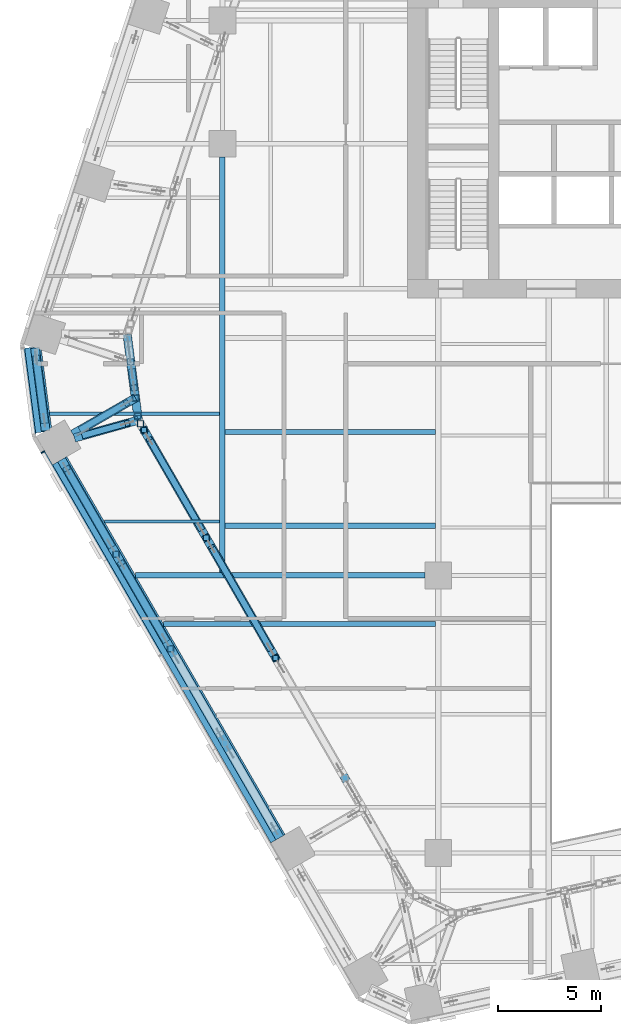
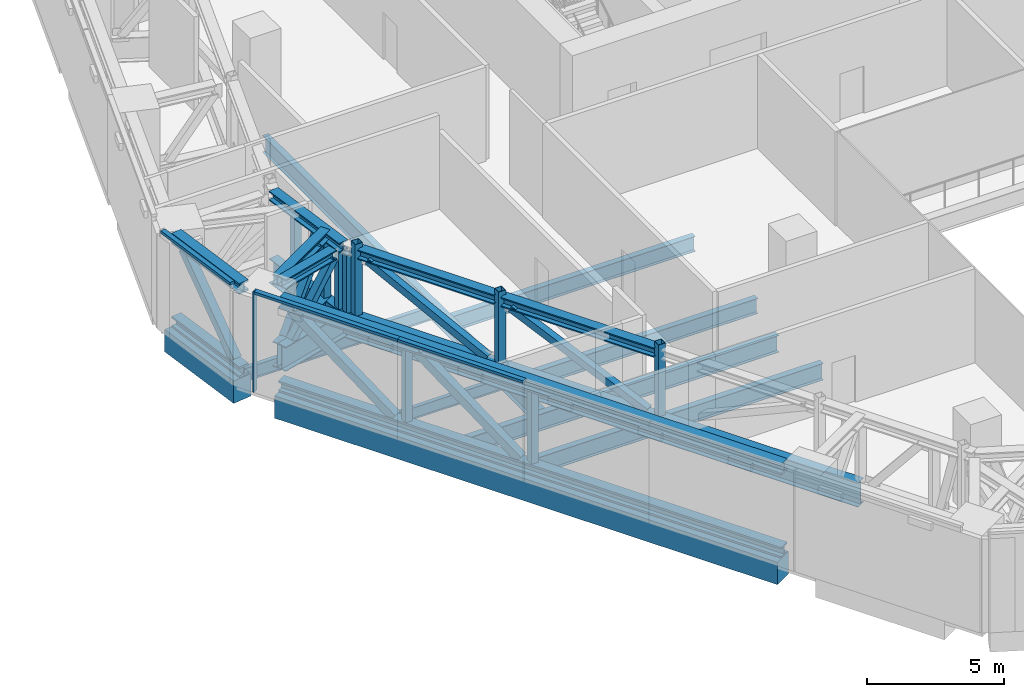
# One storey, part 4 of 36: 34 members, 9 beams, 2 elements without a shape of their own.
"""IFC4 building model written with IfcOpenShell, lengths in metres."""

from ifc_helpers import new_model, si_unit, direction, frame, origin, origin_2d, place, context, subcontext, project, spatial, rectangle, hollow_rectangle, i_section, extrude, material, layer, layer_set, material_profile, profile_set, type_object, element, aggregate, save


model = new_model("IFC4")

# Units and contexts
model_context = context("Model", 3, precision=1e-05, world=origin(), true_north=direction((0.0, 1.0)))
body_context = subcontext(model_context, "Body", "Model", "MODEL_VIEW")
ifc_project = project(units=[si_unit("LENGTHUNIT", "METRE"), si_unit("AREAUNIT", "SQUARE_METRE"), si_unit("VOLUMEUNIT", "CUBIC_METRE"), si_unit("PLANEANGLEUNIT", "RADIAN"), si_unit("MASSUNIT", "GRAM", prefix="KILO")], contexts=[model_context])

# Site, building, storey
site_placement = place(None, origin())
site = spatial("IfcSite", under=ifc_project, at=site_placement, CompositionType="ELEMENT")
building_placement = place(site_placement, origin())
building = spatial("IfcBuilding", under=site, at=building_placement, Name="Isthmus Gate Tower", CompositionType="ELEMENT")
storey_placement = place(building_placement, frame((0.0, 0.0, 117.14990234375)))
storey = spatial("IfcBuildingStorey", under=building, at=storey_placement, Name="L28", CompositionType="ELEMENT", Elevation=117.14990234375)

# Members
ifc_material_1 = material(Name="Structural steel ASTM A913 Gr 65", Category="steel")
ifc_material_profile_1 = material_profile(ifc_material_1, i_section(OverallWidth=0.4287109375, OverallDepth=0.482666015625, WebThickness=0.05078125, FlangeThickness=0.0810546875, at=origin_2d()), Name="W14X455")
ifc_profile_set_1 = profile_set([ifc_material_profile_1], Name="Structural steel ASTM A913 Gr 65")
member_type_1 = type_object("IfcMemberType", Name="BELT TRUSS CHORD W14X455", PredefinedType="CHORD", material=ifc_profile_set_1)
for number, where, z_axis, x_axis, name in (
    (1, (-21.21337890625, -26.257080078125, 0.241455078125), (-0.500010741476, 0.866019202102, 0.0), (-0.866019202102, -0.500010741476, 0.0), "str-belt16-L28-04"),
    (2, (-21.21337890625, -26.257080078125, 3.958740234375), (-0.500010741476, 0.866019202102, 0.0), (-0.866019202102, -0.500010741476, 0.0), "str-belt16-L28-05"),
):
    element("IfcMember", number, at=place(storey_placement, frame(where, z_axis=z_axis, x_axis=x_axis)), inside=storey, type_object=member_type_1, Name=name, PredefinedType="CHORD", context=body_context, shape_type="SweptSolid", body=[
        extrude(i_section(OverallWidth=0.4287109375, OverallDepth=0.482666015625, WebThickness=0.05078125, FlangeThickness=0.0810546875, at=origin_2d()), origin(), (0.0, 0.0, 1.0), 21.234375),
    ])
for number, where, z_axis, x_axis, name in (
    (3, (-32.5947265625, -6.461181640625, 0.241455078125), (-0.129179927125, 0.991621170825, 0.0), (-0.991621170825, -0.129179927125, 0.0), "str-belt17-L28-01"),
    (4, (-32.5947265625, -6.461181640625, 3.958740234375), (-0.129179927125, 0.991621170825, 0.0), (-0.991621170825, -0.129179927125, 0.0), "str-belt17-L28-02"),
):
    element("IfcMember", number, at=place(storey_placement, frame(where, z_axis=z_axis, x_axis=x_axis)), inside=storey, type_object=member_type_1, Name=name, PredefinedType="CHORD", context=body_context, shape_type="SweptSolid", body=[
        extrude(i_section(OverallWidth=0.4287109375, OverallDepth=0.482666015625, WebThickness=0.05078125, FlangeThickness=0.0810546875, at=origin_2d()), origin(), (0.0, 0.0, 1.0), 4.063232421875),
    ])

# Curtain wall, member
ifc_material_2 = material(Name="Aluminium, pale champagne anodised", Category="aluminium")
ifc_layer = layer(ifc_material_2, 0.199951171875)
ifc_layer_set = layer_set([ifc_layer], Name="CW-2 LOUVRE CURTAIN WALL 200 DEEP")
curtain_wall_type = type_object("IfcCurtainWallType", Name="CW-2 LOUVRE CURTAIN WALL 200 DEEP", PredefinedType="NOTDEFINED", material=ifc_layer_set)
curtain_wall_1_placement = place(storey_placement, origin())
curtain_wall_1 = element("IfcCurtainWall", 5, at=curtain_wall_1_placement, inside=storey, type_object=curtain_wall_type, Name="CW-2 SW L28", PredefinedType="NOTDEFINED")
ifc_material_3 = material(Name="Aluminium, pale champagne anodised", Category="aluminium")
ifc_material_profile_2 = material_profile(ifc_material_3, rectangle(XDim=0.06005859375, YDim=0.199951171875, at=origin_2d()), Name="60x200")
ifc_profile_set_2 = profile_set([ifc_material_profile_2], Name="Aluminium, pale champagne anodised")
member_type_2 = type_object("IfcMemberType", Name="CW-2 MULLION 60 X 200", PredefinedType="MULLION", material=ifc_profile_set_2)
member_1_placement = place(storey_placement, frame((-32.7353515625, -7.500732421875, 0.0), z_axis=(0.0, 0.0, 1.0), x_axis=(0.5, -0.866025403784, 0.0)))
member_1 = element("IfcMember", 6, at=member_1_placement, type_object=member_type_2, Name="CW-2 mullion", PredefinedType="MULLION", context=body_context, shape_type="SweptSolid", body=[
    extrude(rectangle(XDim=0.06005859375, YDim=0.199951171875, at=origin_2d()), origin(), (0.0, 0.0, 1.0), 4.5),
])

curtain_wall_2_placement = place(storey_placement, origin())
curtain_wall_2 = element("IfcCurtainWall", 7, at=curtain_wall_2_placement, inside=storey, type_object=curtain_wall_type, Name="CW-2 NW-SW L28", PredefinedType="NOTDEFINED")
ifc_material_4 = material(Name="Aluminium, pale champagne anodised", Category="aluminium")
ifc_material_profile_3 = material_profile(ifc_material_4, rectangle(XDim=0.199951171875, YDim=0.1201171875, at=origin_2d()), Name="200x120")
ifc_profile_set_3 = profile_set([ifc_material_profile_3], Name="Aluminium, pale champagne anodised")
member_type_3 = type_object("IfcMemberType", Name="CW-2 TRANSOM 200 X 120", PredefinedType="USERDEFINED", material=ifc_profile_set_3)
member_2_placement = place(storey_placement, frame((-33.71923828125, -2.474609375, 4.440185546875), z_axis=(0.129206893318, -0.991617657527, 0.0), x_axis=(0.991617657527, 0.129206893318, 0.0)))
member_2 = element("IfcMember", 8, at=member_2_placement, type_object=member_type_3, Name="CW-2 transom", ObjectType="TRANSOM", PredefinedType="USERDEFINED", context=body_context, shape_type="SweptSolid", body=[
    extrude(rectangle(XDim=0.199951171875, YDim=0.1201171875, at=origin_2d()), origin(), (0.0, 0.0, 1.0), 4.181640625),
])
aggregate(curtain_wall_2, [member_2])

# Member
member_3_placement = place(storey_placement, frame((-32.720458984375, -7.526611328125, 4.440185546875), z_axis=(0.500011280007, -0.866018891171, 0.0), x_axis=(0.866018891171, 0.500011280007, 0.0)))
member_3 = element("IfcMember", 9, at=member_3_placement, type_object=member_type_3, Name="CW-2 transom", ObjectType="TRANSOM", PredefinedType="USERDEFINED", context=body_context, shape_type="SweptSolid", body=[
    extrude(rectangle(XDim=0.199951171875, YDim=0.1201171875, at=origin_2d()), origin(), (0.0, 0.0, 1.0), 6.048583984375),
])

member_4_placement = place(storey_placement, frame((-29.696044921875, -12.764892578125, 4.440185546875), z_axis=(0.499997139945, -0.866027055032, 0.0), x_axis=(0.866027055032, 0.499997139945, 0.0)))
member_4 = element("IfcMember", 10, at=member_4_placement, type_object=member_type_3, Name="CW-2 transom", ObjectType="TRANSOM", PredefinedType="USERDEFINED", context=body_context, shape_type="SweptSolid", body=[
    extrude(rectangle(XDim=0.199951171875, YDim=0.1201171875, at=origin_2d()), origin(), (0.0, 0.0, 1.0), 5.30859375),
])

aggregate(curtain_wall_1, [member_1, member_3, member_4])

# Beams
ifc_material_5 = material(Name="Concrete f'c 70 MPa", Category="concrete")
ifc_material_profile_4 = material_profile(ifc_material_5, rectangle(XDim=0.800048828125, YDim=1.0, at=origin_2d()), Name="RC 800X1000")
ifc_profile_set_4 = profile_set([ifc_material_profile_4], Name="Concrete f'c 70 MPa")
beam_type_1 = type_object("IfcBeamType", Name="RC SPANDREL 800 X 1000", PredefinedType="SPANDREL", material=ifc_profile_set_4)
beam_1_placement = place(storey_placement, frame((-21.300048828125, -26.30712890625, -0.5), z_axis=(-0.499997139945, 0.866027055032, 0.0), x_axis=(-0.866027055032, -0.499997139945, 0.0)))
element("IfcBeam", 11, at=beam_1_placement, inside=storey, type_object=beam_type_1, Name="str-spandrel-L28-16", PredefinedType="SPANDREL", context=body_context, shape_type="SweptSolid", body=[
    extrude(rectangle(XDim=0.800048828125, YDim=1.0, at=origin_2d()), origin(), (0.0, 0.0, 1.0), 21.234375),
])
beam_2_placement = place(storey_placement, frame((-32.6884765625, -6.515380859375, -0.5), z_axis=(-0.129170777359, 0.991622362735, 0.0), x_axis=(-0.991622362735, -0.129170777359, 0.0)))
element("IfcBeam", 12, at=beam_2_placement, inside=storey, type_object=beam_type_1, Name="str-spandrel-L28-17", PredefinedType="SPANDREL", context=body_context, shape_type="SweptSolid", body=[
    extrude(rectangle(XDim=0.800048828125, YDim=1.0, at=origin_2d()), origin(), (0.0, 0.0, 1.0), 4.15234375),
])
ifc_material_6 = material(Name="Structural steel ASTM A992 Gr 50", Category="steel")
ifc_material_profile_5 = material_profile(ifc_material_6, i_section(OverallWidth=0.1650390625, OverallDepth=0.52392578125, WebThickness=0.009521484375, FlangeThickness=0.010986328125, at=origin_2d()), Name="W21X44")
ifc_profile_set_5 = profile_set([ifc_material_profile_5], Name="Structural steel ASTM A992 Gr 50")
beam_type_2 = type_object("IfcBeamType", Name="STEEL FLOOR BEAM W21X44", PredefinedType="JOIST", material=ifc_profile_set_5)
beam_3_placement = place(storey_placement, frame((-29.748046875, -10.875, -0.561767578125), z_axis=(1.0, 0.0, 0.0), x_axis=(0.0, 1.0, 0.0)))
element("IfcBeam", 13, at=beam_3_placement, inside=storey, type_object=beam_type_2, Name="str-beam-L28-00-00", PredefinedType="JOIST", context=body_context, shape_type="SweptSolid", body=[
    extrude(i_section(OverallWidth=0.1650390625, OverallDepth=0.52392578125, WebThickness=0.009521484375, FlangeThickness=0.010986328125, at=origin_2d()), origin(), (0.0, 0.0, 1.0), 5.61474609375),
])
ifc_material_7 = material(Name="Structural steel ASTM A992 Gr 50", Category="steel")
ifc_material_profile_6 = material_profile(ifc_material_7, i_section(OverallWidth=0.177734375, OverallDepth=0.60009765625, WebThickness=0.009521484375, FlangeThickness=0.0126953125, at=origin_2d()), Name="W24X55")
ifc_profile_set_6 = profile_set([ifc_material_profile_6], Name="Structural steel ASTM A992 Gr 50")
beam_type_3 = type_object("IfcBeamType", Name="STEEL FLOOR BEAM W24X55", PredefinedType="JOIST", material=ifc_profile_set_6)
beam_4_placement = place(storey_placement, frame((-32.401123046875, -5.625, -0.599853515625), z_axis=(1.0, 0.0, 0.0), x_axis=(0.0, 1.0, 0.0)))
element("IfcBeam", 14, at=beam_4_placement, inside=storey, type_object=beam_type_3, Name="str-beam-L28-00-01", PredefinedType="JOIST", context=body_context, shape_type="SweptSolid", body=[
    extrude(i_section(OverallWidth=0.177734375, OverallDepth=0.60009765625, WebThickness=0.009521484375, FlangeThickness=0.0126953125, at=origin_2d()), origin(), (0.0, 0.0, 1.0), 8.267822265625),
])
ifc_material_8 = material(Name="Structural steel ASTM A992 Gr 50", Category="steel")
ifc_material_profile_7 = material_profile(ifc_material_8, i_section(OverallWidth=0.25390625, OverallDepth=0.679443359375, WebThickness=0.010986328125, FlangeThickness=0.015869140625, at=origin_2d()), Name="W27X84")
ifc_profile_set_7 = profile_set([ifc_material_profile_7], Name="Structural steel ASTM A992 Gr 50")
beam_type_4 = type_object("IfcBeamType", Name="STEEL FLOOR BEAM W27X84", PredefinedType="JOIST", material=ifc_profile_set_7)
for number, where, z_axis, x_axis, name in (
    (15, (-23.86669921875, -11.0830078125, -0.6396484375), (1.0, 0.0, 0.0), (0.0, 1.0, 0.0), "str-beam-L28-08-00"),
    (16, (-23.86669921875, -6.515380859375, -0.6396484375), (1.0, 0.0, 0.0), (0.0, 1.0, 0.0), "str-beam-L28-08-01"),
):
    element("IfcBeam", number, at=place(storey_placement, frame(where, z_axis=z_axis, x_axis=x_axis)), inside=storey, type_object=beam_type_4, Name=name, PredefinedType="JOIST", context=body_context, shape_type="SweptSolid", body=[
        extrude(i_section(OverallWidth=0.25390625, OverallDepth=0.679443359375, WebThickness=0.010986328125, FlangeThickness=0.015869140625, at=origin_2d()), origin(), (0.0, 0.0, 1.0), 10.23486328125),
    ])
ifc_material_9 = material(Name="Structural steel ASTM A992 Gr 50", Category="steel")
ifc_material_profile_8 = material_profile(ifc_material_9, i_section(OverallWidth=0.263427734375, OverallDepth=0.749267578125, WebThickness=0.0126953125, FlangeThickness=0.015869140625, at=origin_2d()), Name="W30X90")
ifc_profile_set_8 = profile_set([ifc_material_profile_8], Name="Structural steel ASTM A992 Gr 50")
beam_type_5 = type_object("IfcBeamType", Name="STEEL FLOOR BEAM W30X90", PredefinedType="JOIST", material=ifc_profile_set_8)
beam_5_placement = place(storey_placement, frame((-26.869140625, -15.861083984375, -0.674560546875), z_axis=(1.0, 0.0, 0.0), x_axis=(0.0, 1.0, 0.0)))
element("IfcBeam", 17, at=beam_5_placement, inside=storey, type_object=beam_type_5, Name="str-beam-L28-06-02", PredefinedType="JOIST", context=body_context, shape_type="SweptSolid", body=[
    extrude(i_section(OverallWidth=0.263427734375, OverallDepth=0.749267578125, WebThickness=0.0126953125, FlangeThickness=0.015869140625, at=origin_2d()), origin(), (0.0, 0.0, 1.0), 13.2373046875),
])
ifc_material_10 = material(Name="Structural steel ASTM A992 Gr 50", Category="steel")
ifc_material_profile_9 = material_profile(ifc_material_10, i_section(OverallWidth=0.2666015625, OverallDepth=0.7587890625, WebThickness=0.014404296875, FlangeThickness=0.01904296875, at=origin_2d()), Name="W30X108")
ifc_profile_set_9 = profile_set([ifc_material_profile_9], Name="Structural steel ASTM A992 Gr 50")
beam_type_6 = type_object("IfcBeamType", Name="STEEL GIRDER W30X108", PredefinedType="BEAM", material=ifc_profile_set_9)
beam_6_placement = place(storey_placement, frame((-28.232421875, -13.5, -0.67919921875), z_axis=(1.0, 0.0, 0.0), x_axis=(0.0, 1.0, 0.0)))
element("IfcBeam", 18, at=beam_6_placement, inside=storey, type_object=beam_type_6, Name="str-girder-L28-05", PredefinedType="BEAM", context=body_context, shape_type="SweptSolid", body=[
    extrude(i_section(OverallWidth=0.2666015625, OverallDepth=0.7587890625, WebThickness=0.014404296875, FlangeThickness=0.01904296875, at=origin_2d()), origin(), (0.0, 0.0, 1.0), 14.08251953125),
])
beam_7_placement = place(storey_placement, frame((-24.0, -13.36669921875, -0.67919921875), z_axis=(0.0, 1.0, 0.0), x_axis=(-1.0, 0.0, 0.0)))
element("IfcBeam", 19, at=beam_7_placement, inside=storey, type_object=beam_type_6, Name="str-girder-L28-21", PredefinedType="BEAM", context=body_context, shape_type="SweptSolid", body=[
    extrude(i_section(OverallWidth=0.2666015625, OverallDepth=0.7587890625, WebThickness=0.014404296875, FlangeThickness=0.01904296875, at=origin_2d()), origin(), (0.0, 0.0, 1.0), 20.216796875),
])

# Members
ifc_material_11 = material(Name="Structural steel ASTM A913 Gr 65", Category="steel")
ifc_material_profile_10 = material_profile(ifc_material_11, i_section(OverallWidth=0.40966796875, OverallDepth=0.42529296875, WebThickness=0.033203125, FlangeThickness=0.052490234375, at=origin_2d()), Name="W14X283")
ifc_profile_set_10 = profile_set([ifc_material_profile_10], Name="Structural steel ASTM A913 Gr 65")
member_type_4 = type_object("IfcMemberType", Name="TRANSFER TRUSS CHORD W14X283", PredefinedType="CHORD", material=ifc_profile_set_10)
member_5_placement = place(storey_placement, frame((-21.488037109375, -17.381591796875, 3.887451171875), z_axis=(-0.500017561474, 0.866015264425, 0.0), x_axis=(-0.866015264425, -0.500017561474, 0.0)))
element("IfcMember", 20, at=member_5_placement, inside=storey, type_object=member_type_4, Name="str-ring07-L28-16", PredefinedType="CHORD", context=body_context, shape_type="SweptSolid", body=[
    extrude(i_section(OverallWidth=0.40966796875, OverallDepth=0.42529296875, WebThickness=0.033203125, FlangeThickness=0.052490234375, at=origin_2d()), origin(), (0.0, 0.0, 1.0), 6.445068359375),
])
member_6_placement = place(storey_placement, frame((-24.863037109375, -11.5361328125, 3.887451171875), z_axis=(-0.499987299922, 0.866032736054, 0.0), x_axis=(-0.866032736054, -0.499987299922, 0.0)))
element("IfcMember", 21, at=member_6_placement, inside=storey, type_object=member_type_4, Name="str-ring07-L28-17", PredefinedType="CHORD", context=body_context, shape_type="SweptSolid", body=[
    extrude(i_section(OverallWidth=0.40966796875, OverallDepth=0.42529296875, WebThickness=0.033203125, FlangeThickness=0.052490234375, at=origin_2d()), origin(), (0.0, 0.0, 1.0), 5.745361328125),
])
member_7_placement = place(storey_placement, frame((-28.091796875, -5.943359375, 3.887451171875), z_axis=(-0.129163216513, 0.991623347597, 0.0), x_axis=(-0.991623347597, -0.129163216513, 0.0)))
element("IfcMember", 22, at=member_7_placement, inside=storey, type_object=member_type_4, Name="str-ring08-L28-06", PredefinedType="CHORD", context=body_context, shape_type="SweptSolid", body=[
    extrude(i_section(OverallWidth=0.40966796875, OverallDepth=0.42529296875, WebThickness=0.033203125, FlangeThickness=0.052490234375, at=origin_2d()), origin(), (0.0, 0.0, 1.0), 4.211181640625),
])
member_8_placement = place(storey_placement, frame((-31.278076171875, -6.624755859375, 3.887451171875), z_axis=(0.866026063804, 0.499998856811, 0.0), x_axis=(-0.499998856811, 0.866026063804, 0.0)))
element("IfcMember", 23, at=member_8_placement, inside=storey, type_object=member_type_4, Name="str-link10-L28-02", PredefinedType="CHORD", context=body_context, shape_type="SweptSolid", body=[
    extrude(i_section(OverallWidth=0.40966796875, OverallDepth=0.42529296875, WebThickness=0.033203125, FlangeThickness=0.052490234375, at=origin_2d()), origin(), (0.0, 0.0, 1.0), 3.51708984375),
])
member_9_placement = place(storey_placement, frame((-31.2001953125, -6.809814453125, 3.887451171875), z_axis=(0.963273461806, 0.268522322686, 0.0), x_axis=(-0.268522322686, 0.963273461806, 0.0)))
element("IfcMember", 24, at=member_9_placement, inside=storey, type_object=member_type_4, Name="str-link35-L28-02", PredefinedType="CHORD", context=body_context, shape_type="SweptSolid", body=[
    extrude(i_section(OverallWidth=0.40966796875, OverallDepth=0.42529296875, WebThickness=0.033203125, FlangeThickness=0.052490234375, at=origin_2d()), origin(), (0.0, 0.0, 1.0), 2.665771484375),
])
ifc_material_12 = material(Name="Structural steel ASTM A913 Gr 65", Category="steel")
ifc_material_profile_11 = material_profile(ifc_material_12, i_section(OverallWidth=0.39990234375, OverallDepth=1.089111328125, WebThickness=0.017578125, FlangeThickness=0.03173828125, at=origin_2d()), Name="W44X230")
ifc_profile_set_11 = profile_set([ifc_material_profile_11], Name="Structural steel ASTM A913 Gr 65")
member_type_5 = type_object("IfcMemberType", Name="TRANSFER TRUSS CHORD W44X230", PredefinedType="CHORD", material=ifc_profile_set_11)
member_10_placement = place(storey_placement, frame((-17.17626953125, -24.849853515625, 0.544677734375), z_axis=(-0.499995116935, 0.866028223005, 0.0), x_axis=(-0.866028223005, -0.499995116935, 0.0)))
element("IfcMember", 25, at=member_10_placement, inside=storey, type_object=member_type_5, Name="str-ring07-L28-12", PredefinedType="CHORD", context=body_context, shape_type="SweptSolid", body=[
    extrude(i_section(OverallWidth=0.39990234375, OverallDepth=1.089111328125, WebThickness=0.017578125, FlangeThickness=0.03173828125, at=origin_2d()), origin(), (0.0, 0.0, 1.0), 21.831298828125),
])
member_11_placement = place(storey_placement, frame((-28.091796875, -5.943359375, 0.544677734375), z_axis=(-0.129163216513, 0.991623347597, 0.0), x_axis=(-0.991623347597, -0.129163216513, 0.0)))
element("IfcMember", 26, at=member_11_placement, inside=storey, type_object=member_type_5, Name="str-ring08-L28-05", PredefinedType="CHORD", context=body_context, shape_type="SweptSolid", body=[
    extrude(i_section(OverallWidth=0.39990234375, OverallDepth=1.089111328125, WebThickness=0.017578125, FlangeThickness=0.03173828125, at=origin_2d()), origin(), (0.0, 0.0, 1.0), 4.211181640625),
])
member_12_placement = place(storey_placement, frame((-31.278076171875, -6.624755859375, 0.544677734375), z_axis=(0.866026063804, 0.499998856811, 0.0), x_axis=(-0.499998856811, 0.866026063804, 0.0)))
element("IfcMember", 27, at=member_12_placement, inside=storey, type_object=member_type_5, Name="str-link10-L28-01", PredefinedType="CHORD", context=body_context, shape_type="SweptSolid", body=[
    extrude(i_section(OverallWidth=0.39990234375, OverallDepth=1.089111328125, WebThickness=0.017578125, FlangeThickness=0.03173828125, at=origin_2d()), origin(), (0.0, 0.0, 1.0), 3.51708984375),
])
member_13_placement = place(storey_placement, frame((-31.2001953125, -6.809814453125, 0.544677734375), z_axis=(0.963276888939, 0.268510028185, 0.0), x_axis=(-0.268510028185, 0.963276888939, 0.0)))
element("IfcMember", 28, at=member_13_placement, inside=storey, type_object=member_type_5, Name="str-link35-L28-01", PredefinedType="CHORD", context=body_context, shape_type="SweptSolid", body=[
    extrude(i_section(OverallWidth=0.39990234375, OverallDepth=1.089111328125, WebThickness=0.017578125, FlangeThickness=0.03173828125, at=origin_2d()), origin(), (0.0, 0.0, 1.0), 3.226806640625),
])
ifc_material_13 = material(Name="Structural steel ASTM A500 Gr C", Category="steel")
ifc_material_profile_12 = material_profile(ifc_material_13, hollow_rectangle(XDim=0.3046875, YDim=0.3046875, WallThickness=0.014892578125, at=origin_2d()), Name="HSS12X12X5/8")
ifc_profile_set_12 = profile_set([ifc_material_profile_12], Name="Structural steel ASTM A500 Gr C")
member_type_6 = type_object("IfcMemberType", Name="TRANSFER TRUSS DIAGONAL HSS12X12X5/8", PredefinedType="BRACE", material=ifc_profile_set_12)
member_14_placement = place(storey_placement, frame((-21.661865234375, -17.08056640625, 1.089111328125), z_axis=(-0.456023146335, 0.789830850258, 0.410134268243), x_axis=(-0.866018712932, -0.500011588718, 0.0)))
element("IfcMember", 29, at=member_14_placement, inside=storey, type_object=member_type_6, Name="str-ring07-L28-23", PredefinedType="BRACE", context=body_context, shape_type="SweptSolid", body=[
    extrude(hollow_rectangle(XDim=0.3046875, YDim=0.3046875, WallThickness=0.014892578125, at=origin_2d()), origin(), (0.0, 0.0, 1.0), 6.304443359375),
])
member_15_placement = place(storey_placement, frame((-25.036865234375, -11.235107421875, 1.089111328125), z_axis=(-0.445033309251, 0.770868952032, 0.455748189738), x_axis=(-0.866039067339, -0.499976333282, 0.0)))
element("IfcMember", 30, at=member_15_placement, inside=storey, type_object=member_type_6, Name="str-ring07-L28-24", PredefinedType="BRACE", context=body_context, shape_type="SweptSolid", body=[
    extrude(hollow_rectangle(XDim=0.3046875, YDim=0.3046875, WallThickness=0.014892578125, at=origin_2d()), origin(), (0.0, 0.0, 1.0), 5.673583984375),
])
member_16_placement = place(storey_placement, frame((-28.397216796875, -3.60009765625, 1.089111328125), z_axis=(0.037164747729, -0.285381858474, 0.957693049145), x_axis=(0.991626671689, 0.129137693937, 0.0)))
element("IfcMember", 31, at=member_16_placement, inside=storey, type_object=member_type_6, Name="str-ring08-L28-07", PredefinedType="BRACE", context=body_context, shape_type="SweptSolid", body=[
    extrude(hollow_rectangle(XDim=0.3046875, YDim=0.3046875, WallThickness=0.014892578125, at=origin_2d()), origin(), (0.0, 0.0, 1.0), 2.699951171875),
])
member_17_placement = place(storey_placement, frame((-30.844970703125, -6.374755859375, 1.089111328125), z_axis=(0.604053885108, 0.348778872954, 0.716569746548), x_axis=(-0.500030321368, 0.866007897027, 0.0)))
element("IfcMember", 32, at=member_17_placement, inside=storey, type_object=member_type_6, Name="str-link10-L28-03", PredefinedType="BRACE", context=body_context, shape_type="SweptSolid", body=[
    extrude(hollow_rectangle(XDim=0.3046875, YDim=0.3046875, WallThickness=0.014892578125, at=origin_2d()), origin(), (0.0, 0.0, 1.0), 3.6083984375),
])
member_18_placement = place(storey_placement, frame((-30.71875, -6.675537109375, 1.089111328125), z_axis=(0.618565541429, 0.172410849483, 0.766584091889), x_axis=(-0.268492530652, 0.963281766143, 0.0)))
element("IfcMember", 33, at=member_18_placement, inside=storey, type_object=member_type_6, Name="str-link35-L28-03", PredefinedType="BRACE", context=body_context, shape_type="SweptSolid", body=[
    extrude(hollow_rectangle(XDim=0.3046875, YDim=0.3046875, WallThickness=0.014892578125, at=origin_2d()), origin(), (0.0, 0.0, 1.0), 3.373046875),
])
ifc_material_14 = material(Name="Structural steel ASTM A500 Gr C", Category="steel")
ifc_material_profile_13 = material_profile(ifc_material_14, hollow_rectangle(XDim=0.3046875, YDim=0.3046875, WallThickness=0.014892578125, at=origin_2d()), Name="HSS12X12X5/8")
ifc_profile_set_13 = profile_set([ifc_material_profile_13], Name="Structural steel ASTM A500 Gr C")
member_type_7 = type_object("IfcMemberType", Name="TRANSFER TRUSS POST HSS12X12X5/8", PredefinedType="POST", material=ifc_profile_set_13)
for number, where, z_axis, x_axis, name in (
    (34, (-21.411865234375, -17.513671875, 1.089111328125), (0.0, 0.0, 1.0), (1.0, 0.0, 0.0), "str-ring07-L28-06"),
    (35, (-24.786865234375, -11.66796875, 1.089111328125), (0.0, 0.0, 1.0), (1.0, 0.0, 0.0), "str-ring07-L28-07"),
    (36, (-27.811767578125, -6.428466796875, 1.089111328125), (0.0, 0.0, 1.0), (1.0, 0.0, 0.0), "str-ring07-L28-08"),
):
    element("IfcMember", number, at=place(storey_placement, frame(where, z_axis=z_axis, x_axis=x_axis)), inside=storey, type_object=member_type_7, Name=name, PredefinedType="POST", context=body_context, shape_type="SweptSolid", body=[
        extrude(hollow_rectangle(XDim=0.3046875, YDim=0.3046875, WallThickness=0.014892578125, at=origin_2d()), origin(), (0.0, 0.0, 1.0), 3.2109375),
    ])
for number, where, z_axis, x_axis, name in (
    (37, (-27.99169921875, -6.11669921875, 1.089111328125), (0.0, 0.0, 1.0), (1.0, 0.0, 0.0), "str-ring07-L28-09"),
    (38, (-28.11767578125, -5.7451171875, 1.089111328125), (0.0, 0.0, 1.0), (1.0, 0.0, 0.0), "str-ring08-L28-01"),
    (39, (-28.232177734375, -4.866455078125, 1.089111328125), (0.0, 0.0, 1.0), (1.0, 0.0, 0.0), "str-ring08-L28-02"),
    (40, (-28.461669921875, -3.1044921875, 1.089111328125), (0.0, 0.0, 1.0), (1.0, 0.0, 0.0), "str-ring08-L28-03"),
):
    element("IfcMember", number, at=place(storey_placement, frame(where, z_axis=z_axis, x_axis=x_axis)), inside=storey, type_object=member_type_7, Name=name, PredefinedType="POST", context=body_context, shape_type="SweptSolid", body=[
        extrude(hollow_rectangle(XDim=0.3046875, YDim=0.3046875, WallThickness=0.014892578125, at=origin_2d()), origin(), (0.0, 0.0, 1.0), 2.585693359375),
    ])
ifc_material_15 = material(Name="Structural steel ASTM A500 Gr C", Category="steel")
ifc_material_profile_14 = material_profile(ifc_material_15, hollow_rectangle(XDim=0.355712890625, YDim=0.355712890625, WallThickness=0.017578125, at=origin_2d()), Name="HSS14X14X3/4")
ifc_profile_set_14 = profile_set([ifc_material_profile_14], Name="Structural steel ASTM A500 Gr C")
member_type_8 = type_object("IfcMemberType", Name="TRUSS DIAGONAL HSS14X14X3/4", PredefinedType="BRACE", material=ifc_profile_set_14)
member_19_placement = place(storey_placement, frame((-26.77197265625, -16.629638671875, 0.482666015625), z_axis=(-0.399868399364, 0.692576598785, 0.60036898488), x_axis=(-0.866020469142, -0.500008546953, 0.0)))
element("IfcMember", 41, at=member_19_placement, inside=storey, type_object=member_type_8, Name="str-belt16-L28-08", PredefinedType="BRACE", context=body_context, shape_type="SweptSolid", body=[
    extrude(hollow_rectangle(XDim=0.355712890625, YDim=0.355712890625, WallThickness=0.017578125, at=origin_2d()), origin(), (0.0, 0.0, 1.0), 5.38818359375),
])
member_20_placement = place(storey_placement, frame((-29.426513671875, -12.03173828125, 0.482666015625), z_axis=(-0.39985542841, 0.692541989164, 0.600417546059), x_axis=(-0.866016672569, -0.500015122604, 0.0)))
element("IfcMember", 42, at=member_20_placement, inside=storey, type_object=member_type_8, Name="str-belt16-L28-09", PredefinedType="BRACE", context=body_context, shape_type="SweptSolid", body=[
    extrude(hollow_rectangle(XDim=0.355712890625, YDim=0.355712890625, WallThickness=0.017578125, at=origin_2d()), origin(), (0.0, 0.0, 1.0), 5.3876953125),
])
member_21_placement = place(storey_placement, frame((-32.659423828125, -5.96533203125, 0.482666015625), z_axis=(-0.088776750948, 0.681827367465, 0.726106142012), x_axis=(-0.991629717726, -0.129114301777, 0.0)))
element("IfcMember", 43, at=member_21_placement, inside=storey, type_object=member_type_8, Name="str-belt17-L28-03", PredefinedType="BRACE", context=body_context, shape_type="SweptSolid", body=[
    extrude(hollow_rectangle(XDim=0.355712890625, YDim=0.355712890625, WallThickness=0.017578125, at=origin_2d()), origin(), (0.0, 0.0, 1.0), 4.455078125),
])
ifc_material_16 = material(Name="Structural steel ASTM A500 Gr C", Category="steel")
ifc_material_profile_15 = material_profile(ifc_material_16, hollow_rectangle(XDim=0.3046875, YDim=0.3046875, WallThickness=0.014892578125, at=origin_2d()), Name="HSS12X12X5/8")
ifc_profile_set_15 = profile_set([ifc_material_profile_15], Name="Structural steel ASTM A500 Gr C")
member_type_9 = type_object("IfcMemberType", Name="TRUSS POST HSS12X12X5/8", PredefinedType="POST", material=ifc_profile_set_15)
for number, where, z_axis, x_axis, name in (
    (44, (-26.52197265625, -17.0625, 0.482666015625), (0.0, 0.0, 1.0), (1.0, 0.0, 0.0), "str-belt16-L28-02"),
    (45, (-29.176513671875, -12.46484375, 0.482666015625), (0.0, 0.0, 1.0), (1.0, 0.0, 0.0), "str-belt16-L28-03"),
):
    element("IfcMember", number, at=place(storey_placement, frame(where, z_axis=z_axis, x_axis=x_axis)), inside=storey, type_object=member_type_9, Name=name, PredefinedType="POST", context=body_context, shape_type="SweptSolid", body=[
        extrude(hollow_rectangle(XDim=0.3046875, YDim=0.3046875, WallThickness=0.014892578125, at=origin_2d()), origin(), (0.0, 0.0, 1.0), 3.23486328125),
    ])

save(model, "model.ifc")
